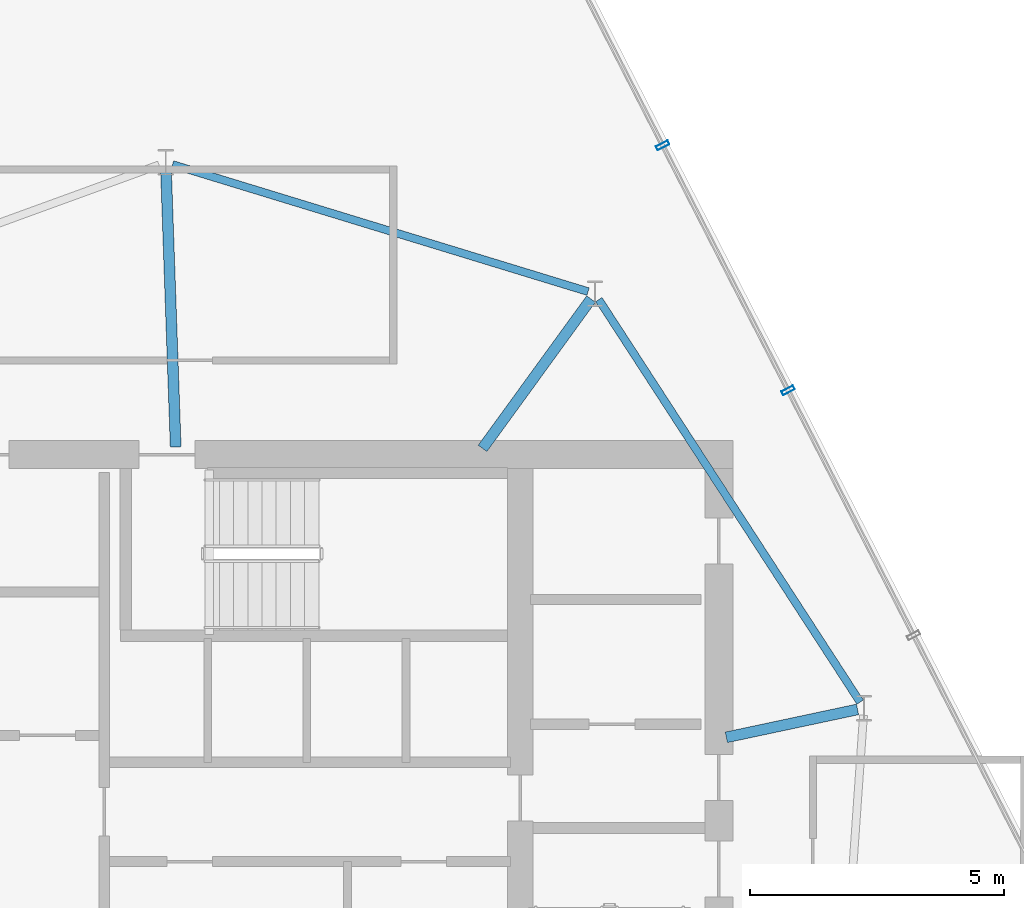
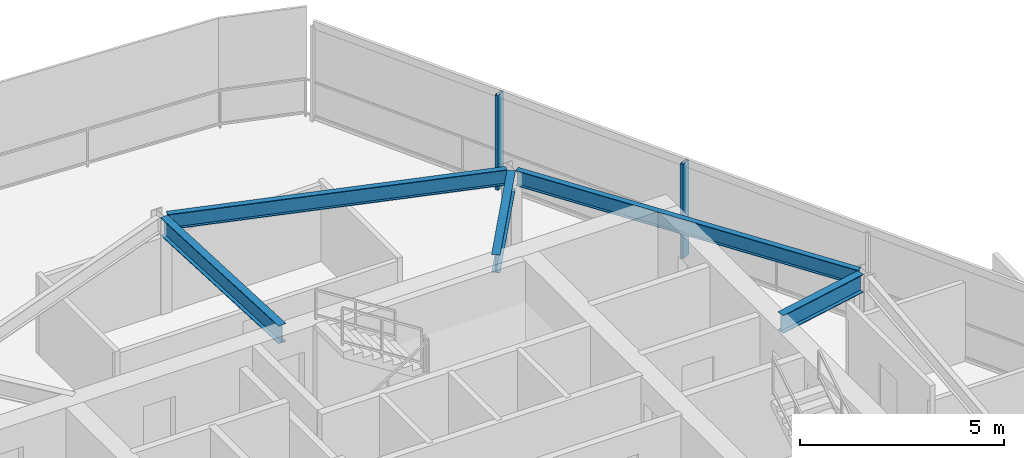
# One storey, part 9 of 16: 5 beams, 2 members, 1 element without a shape of its own.
"""IFC4 building model written with IfcOpenShell, lengths in metres."""

from ifc_helpers import new_model, si_unit, direction, frame, origin, origin_2d, place, context, subcontext, project, spatial, hollow_rectangle, i_section, extrude, material, layer, layer_set, material_profile, profile_set, type_object, element, aggregate, save


model = new_model("IFC4")

# Units and contexts
model_context = context("Model", 3, precision=1e-05, world=origin(), true_north=direction((0.0, 1.0)))
body_context = subcontext(model_context, "Body", "Model", "MODEL_VIEW")
ifc_project = project(units=[si_unit("LENGTHUNIT", "METRE"), si_unit("AREAUNIT", "SQUARE_METRE"), si_unit("VOLUMEUNIT", "CUBIC_METRE"), si_unit("PLANEANGLEUNIT", "RADIAN"), si_unit("MASSUNIT", "GRAM", prefix="KILO")], contexts=[model_context])

# Site, building, storey
site_placement = place(None, origin())
site = spatial("IfcSite", under=ifc_project, at=site_placement, CompositionType="ELEMENT")
building_placement = place(site_placement, origin())
building = spatial("IfcBuilding", under=site, at=building_placement, Name="Qarnah Convention Tower", CompositionType="ELEMENT")
storey_placement = place(building_placement, frame((0.0, 0.0, 283.5)))
storey = spatial("IfcBuildingStorey", under=building, at=storey_placement, Name="L76", CompositionType="ELEMENT", Elevation=283.5)

# Beams
ifc_material_1 = material(Name="Structural steel S355JR", Category="steel")
ifc_material_profile_1 = material_profile(ifc_material_1, i_section(OverallWidth=0.2119140625, OverallDepth=0.5400390625, WebThickness=0.011962890625, FlangeThickness=0.01904296875, at=origin_2d()), Name="W530X109")
ifc_profile_set_1 = profile_set([ifc_material_profile_1], Name="Structural steel S355JR")
beam_type_1 = type_object("IfcBeamType", Name="BM-RAD-W530A", PredefinedType="BEAM", material=ifc_profile_set_1)
beam_1_placement = place(storey_placement, frame((47.7470703125, 28.64111328125, 2.570068359375), z_axis=(0.978111540928, 0.208081266585, 0.0), x_axis=(-0.208081266585, 0.978111540928, 0.0)))
element("IfcBeam", 1, at=beam_1_placement, inside=storey, type_object=beam_type_1, Name="L76 beam BM-L76-RAD-01", PredefinedType="BEAM", context=body_context, shape_type="SweptSolid", body=[
    extrude(i_section(OverallWidth=0.2119140625, OverallDepth=0.5400390625, WebThickness=0.011962890625, FlangeThickness=0.01904296875, at=origin_2d()), origin(), (0.0, 0.0, 1.0), 2.637451171875),
])
beam_2_placement = place(storey_placement, frame((42.955078125, 34.321044921875, 2.570068359375), z_axis=(0.587723585285, 0.809061794487, 0.0), x_axis=(-0.809061794487, 0.587723585285, 0.0)))
element("IfcBeam", 2, at=beam_2_placement, inside=storey, type_object=beam_type_1, Name="L76 beam BM-L76-RAD-02", PredefinedType="BEAM", context=body_context, shape_type="SweptSolid", body=[
    extrude(i_section(OverallWidth=0.2119140625, OverallDepth=0.5400390625, WebThickness=0.011962890625, FlangeThickness=0.01904296875, at=origin_2d()), origin(), (0.0, 0.0, 1.0), 3.62890625),
])
beam_3_placement = place(storey_placement, frame((36.923095703125, 34.35009765625, 2.570068359375), z_axis=(-0.034977689841, 0.999388093392, 0.0), x_axis=(-0.999388093392, -0.034977689841, 0.0)))
element("IfcBeam", 3, at=beam_3_placement, inside=storey, type_object=beam_type_1, Name="L76 beam BM-L76-RAD-03", PredefinedType="BEAM", context=body_context, shape_type="SweptSolid", body=[
    extrude(i_section(OverallWidth=0.2119140625, OverallDepth=0.5400390625, WebThickness=0.011962890625, FlangeThickness=0.01904296875, at=origin_2d()), origin(), (0.0, 0.0, 1.0), 5.46533203125),
])
ifc_material_profile_2 = material_profile(ifc_material_1, i_section(OverallWidth=0.154052734375, OverallDepth=0.4599609375, WebThickness=0.009033203125, FlangeThickness=0.014892578125, at=origin_2d()), Name="W460X68")
ifc_profile_set_2 = profile_set([ifc_material_profile_2], Name="Structural steel S355JR")
beam_type_2 = type_object("IfcBeamType", Name="BM-SPN-W460B", PredefinedType="SPANDREL", material=ifc_profile_set_2)
beam_4_placement = place(storey_placement, frame((50.3779296875, 29.333984375, 2.610107421875), z_axis=(-0.544668094576, 0.83865169573, 0.0), x_axis=(-0.83865169573, -0.544668094576, 0.0)))
element("IfcBeam", 4, at=beam_4_placement, inside=storey, type_object=beam_type_2, Name="L76 spandrel BM-L76-SPN-01", PredefinedType="SPANDREL", context=body_context, shape_type="SweptSolid", body=[
    extrude(i_section(OverallWidth=0.154052734375, OverallDepth=0.4599609375, WebThickness=0.009033203125, FlangeThickness=0.014892578125, at=origin_2d()), origin(), (0.0, 0.0, 1.0), 9.43310546875),
])
beam_5_placement = place(storey_placement, frame((45.030029296875, 37.403076171875, 2.610107421875), z_axis=(-0.956294755563, 0.292404412557, 0.0), x_axis=(-0.292404412557, -0.956294755563, 0.0)))
element("IfcBeam", 5, at=beam_5_placement, inside=storey, type_object=beam_type_2, Name="L76 spandrel BM-L76-SPN-02", PredefinedType="SPANDREL", context=body_context, shape_type="SweptSolid", body=[
    extrude(i_section(OverallWidth=0.154052734375, OverallDepth=0.4599609375, WebThickness=0.009033203125, FlangeThickness=0.014892578125, at=origin_2d()), origin(), (0.0, 0.0, 1.0), 8.542236328125),
])

# Curtain wall, members
ifc_material_2 = material(Name="Tempered Low-E dark glass", Category="glass")
ifc_layer = layer(ifc_material_2, 0.177978515625)
ifc_layer_set = layer_set([ifc_layer], Name="Tempered Low-E dark glass")
curtain_wall_type = type_object("IfcCurtainWallType", Name="CWS-06", PredefinedType="NOTDEFINED", material=ifc_layer_set)
curtain_wall_placement = place(storey_placement, origin())
curtain_wall = element("IfcCurtainWall", 6, at=curtain_wall_placement, inside=storey, type_object=curtain_wall_type, Name="L76 unitised curtain wall CW-L76-F1", PredefinedType="NOTDEFINED")
ifc_material_3 = material(Name="Black anodised aluminium", Category="aluminium")
ifc_material_profile_3 = material_profile(ifc_material_3, hollow_rectangle(XDim=0.0849609375, YDim=0.260009765625, WallThickness=0.006103515625, at=origin_2d()), Name="MUL-85X260")
ifc_profile_set_3 = profile_set([ifc_material_profile_3], Name="Black anodised aluminium")
member_type = type_object("IfcMemberType", Name="MUL-T6", PredefinedType="MULLION", material=ifc_profile_set_3)
member_1_placement = place(storey_placement, frame((46.4951171875, 40.27783203125, 0.0), z_axis=(0.0, 0.0, 1.0), x_axis=(0.455858014655, -0.890052509954, 0.0)))
member_1 = element("IfcMember", 7, at=member_1_placement, type_object=member_type, Name="CW-L76-F1 mullion 2", PredefinedType="MULLION", context=body_context, shape_type="SweptSolid", body=[
    extrude(hollow_rectangle(XDim=0.0849609375, YDim=0.260009765625, WallThickness=0.006103515625, at=origin_2d()), origin(), (0.0, 0.0, 1.0), 2.840087890625),
])
member_2_placement = place(storey_placement, frame((48.96142578125, 35.462646484375, 0.0), z_axis=(0.0, 0.0, 1.0), x_axis=(0.455858014655, -0.890052509954, 0.0)))
member_2 = element("IfcMember", 8, at=member_2_placement, type_object=member_type, Name="CW-L76-F1 mullion 3", PredefinedType="MULLION", context=body_context, shape_type="SweptSolid", body=[
    extrude(hollow_rectangle(XDim=0.0849609375, YDim=0.260009765625, WallThickness=0.006103515625, at=origin_2d()), origin(), (0.0, 0.0, 1.0), 2.840087890625),
])
aggregate(curtain_wall, [member_1, member_2])

save(model, "model.ifc")
